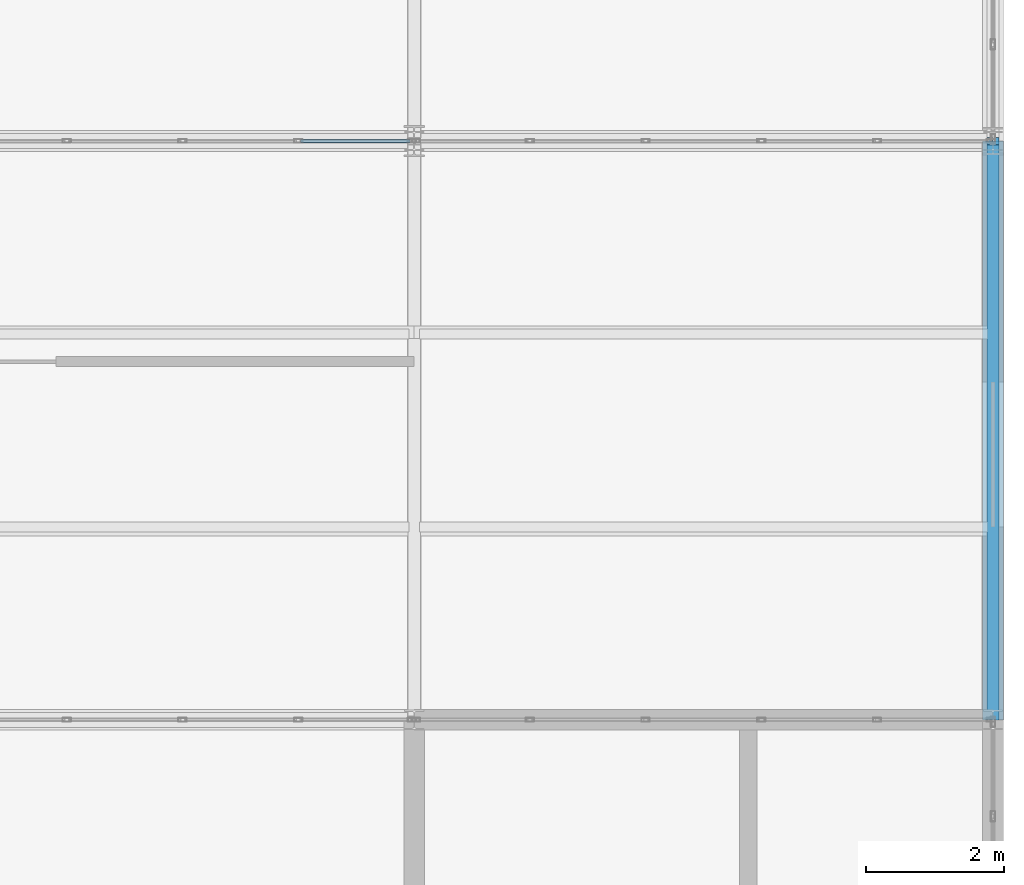
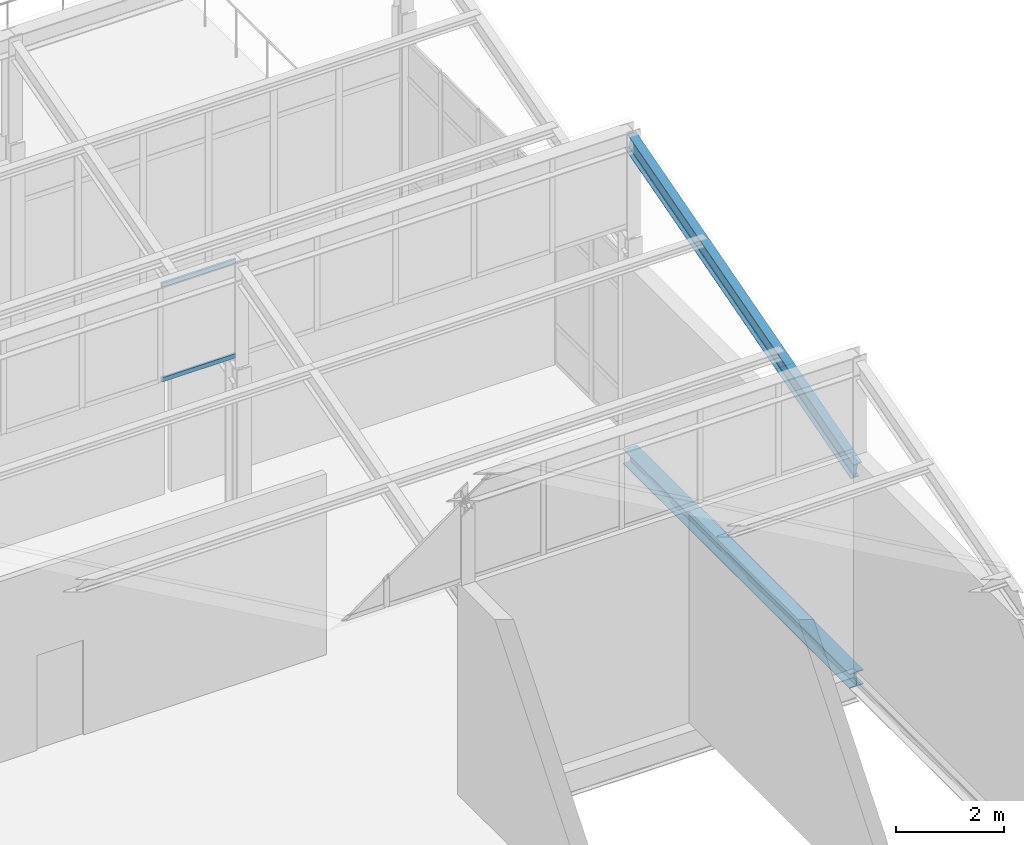
# One storey, part 37 of 53: 2 beams, 2 members, 1 element without a shape of its own.
"""IFC4 building model written with IfcOpenShell, lengths in metres."""

from ifc_helpers import new_model, si_unit, direction, frame, origin, origin_2d, place, context, subcontext, project, spatial, hollow_rectangle, i_section, extrude, material, layer, layer_set, material_profile, profile_set, type_object, element, aggregate, save


model = new_model("IFC4")

# Units and contexts
model_context = context("Model", 3, precision=1e-05, world=origin(), true_north=direction((0.0, 1.0)))
body_context = subcontext(model_context, "Body", "Model", "MODEL_VIEW")
ifc_project = project(units=[si_unit("LENGTHUNIT", "METRE"), si_unit("AREAUNIT", "SQUARE_METRE"), si_unit("VOLUMEUNIT", "CUBIC_METRE"), si_unit("PLANEANGLEUNIT", "RADIAN"), si_unit("MASSUNIT", "GRAM", prefix="KILO")], contexts=[model_context])

# Site, building, storey
site_placement = place(None, origin())
site = spatial("IfcSite", under=ifc_project, at=site_placement, CompositionType="ELEMENT")
building_placement = place(site_placement, origin())
building = spatial("IfcBuilding", under=site, at=building_placement, Name="Qalvenar Corner Mobility Hub", CompositionType="ELEMENT")
storey_placement = place(building_placement, frame((0.0, 0.0, 26.39990234375)))
storey = spatial("IfcBuildingStorey", under=building, at=storey_placement, Name="L06", CompositionType="ELEMENT", Elevation=26.39990234375)

# Beams
ifc_material_1 = material(Name="Steel S355", Category="steel")
ifc_material_profile_1 = material_profile(ifc_material_1, i_section(OverallWidth=0.179931640625, OverallDepth=0.39990234375, WebThickness=0.008544921875, FlangeThickness=0.013427734375, FilletRadius=0.02099609375, at=origin_2d()), Name="IPE400")
ifc_profile_set_1 = profile_set([ifc_material_profile_1], Name="Steel S355")
beam_type_1 = type_object("IfcBeamType", Name="BM-IPE400", PredefinedType="BEAM", material=ifc_profile_set_1)
beam_1_placement = place(storey_placement, frame((42.0, 16.800048828125, 4.340087890625), z_axis=(0.0, 0.96152605678, 0.274713745804), x_axis=(-1.0, 0.0, 0.0)))
element("IfcBeam", 1, at=beam_1_placement, inside=storey, type_object=beam_type_1, Name="Sawtooth Rafter V3RF-3-6", PredefinedType="BEAM", context=body_context, shape_type="SweptSolid", body=[
    extrude(i_section(OverallWidth=0.179931640625, OverallDepth=0.39990234375, WebThickness=0.008544921875, FlangeThickness=0.013427734375, FilletRadius=0.02099609375, at=origin_2d()), origin(), (0.0, 0.0, 1.0), 8.736083984375),
])
ifc_material_profile_2 = material_profile(ifc_material_1, i_section(OverallWidth=0.300048828125, OverallDepth=0.330078125, WebThickness=0.009521484375, FlangeThickness=0.0166015625, FilletRadius=0.027099609375, at=origin_2d()), Name="HEA340")
ifc_profile_set_2 = profile_set([ifc_material_profile_2], Name="Steel S355")
beam_type_2 = type_object("IfcBeamType", Name="BM-SPN340", PredefinedType="SPANDREL", material=ifc_profile_set_2)
beam_2_placement = place(storey_placement, frame((42.0, 16.800048828125, -0.385009765625), z_axis=(0.0, 1.0, 0.0), x_axis=(-1.0, 0.0, 0.0)))
element("IfcBeam", 2, at=beam_2_placement, inside=storey, type_object=beam_type_2, Name="Primary Steel Girder GY-3099", PredefinedType="SPANDREL", context=body_context, shape_type="SweptSolid", body=[
    extrude(i_section(OverallWidth=0.300048828125, OverallDepth=0.330078125, WebThickness=0.009521484375, FlangeThickness=0.0166015625, FilletRadius=0.027099609375, at=origin_2d()), origin(), (0.0, 0.0, 1.0), 8.39990234375),
])

# Curtain wall, members
ifc_material_2 = material(Name="Anodised Aluminium and Low-E Glazing", Category="aluminium")
ifc_layer = layer(ifc_material_2, 0.1201171875)
ifc_layer_set = layer_set([ifc_layer], Name="Anodised Aluminium and Low-E Glazing")
curtain_wall_type = type_object("IfcCurtainWallType", Name="CW-CLR-84X24", PredefinedType="NOTDEFINED", material=ifc_layer_set)
curtain_wall_placement = place(storey_placement, origin())
curtain_wall = element("IfcCurtainWall", 3, at=curtain_wall_placement, inside=storey, type_object=curtain_wall_type, Name="Glazed Curtain Wall CW-V3-SAW-3-3", PredefinedType="NOTDEFINED")
ifc_material_3 = material(Name="Anodised Aluminium 6063-T6", Category="aluminium")
ifc_material_profile_3 = material_profile(ifc_material_3, hollow_rectangle(XDim=0.050048828125, YDim=0.10009765625, WallThickness=0.0029296875, InnerFilletRadius=0.0029296875, OuterFilletRadius=0.006103515625, at=origin_2d()), Name="RHS100x50x3")
ifc_profile_set_3 = profile_set([ifc_material_profile_3], Name="Anodised Aluminium 6063-T6")
member_type = type_object("IfcMemberType", Name="CW-TRN100", PredefinedType="USERDEFINED", material=ifc_profile_set_3)
member_1_placement = place(storey_placement, frame((33.5400390625, 25.199951171875, 4.82763671875), z_axis=(-1.0, 0.0, 0.0), x_axis=(0.0, -1.0, 0.0)))
member_1 = element("IfcMember", 4, at=member_1_placement, type_object=member_type, Name="CW-12 transom 1.1", ObjectType="TRANSOM", PredefinedType="USERDEFINED", context=body_context, shape_type="SweptSolid", body=[
    extrude(hollow_rectangle(XDim=0.050048828125, YDim=0.10009765625, WallThickness=0.0029296875, InnerFilletRadius=0.0029296875, OuterFilletRadius=0.006103515625, at=origin_2d()), origin(), (0.0, 0.0, 1.0), 1.590087890625),
])
member_2_placement = place(storey_placement, frame((33.5400390625, 25.199951171875, 6.97265625), z_axis=(-1.0, 0.0, 0.0), x_axis=(0.0, -1.0, 0.0)))
member_2 = element("IfcMember", 5, at=member_2_placement, type_object=member_type, Name="CW-12 transom 1.2", ObjectType="TRANSOM", PredefinedType="USERDEFINED", context=body_context, shape_type="SweptSolid", body=[
    extrude(hollow_rectangle(XDim=0.050048828125, YDim=0.10009765625, WallThickness=0.0029296875, InnerFilletRadius=0.0029296875, OuterFilletRadius=0.006103515625, at=origin_2d()), origin(), (0.0, 0.0, 1.0), 1.590087890625),
])
aggregate(curtain_wall, [member_1, member_2])

save(model, "model.ifc")
